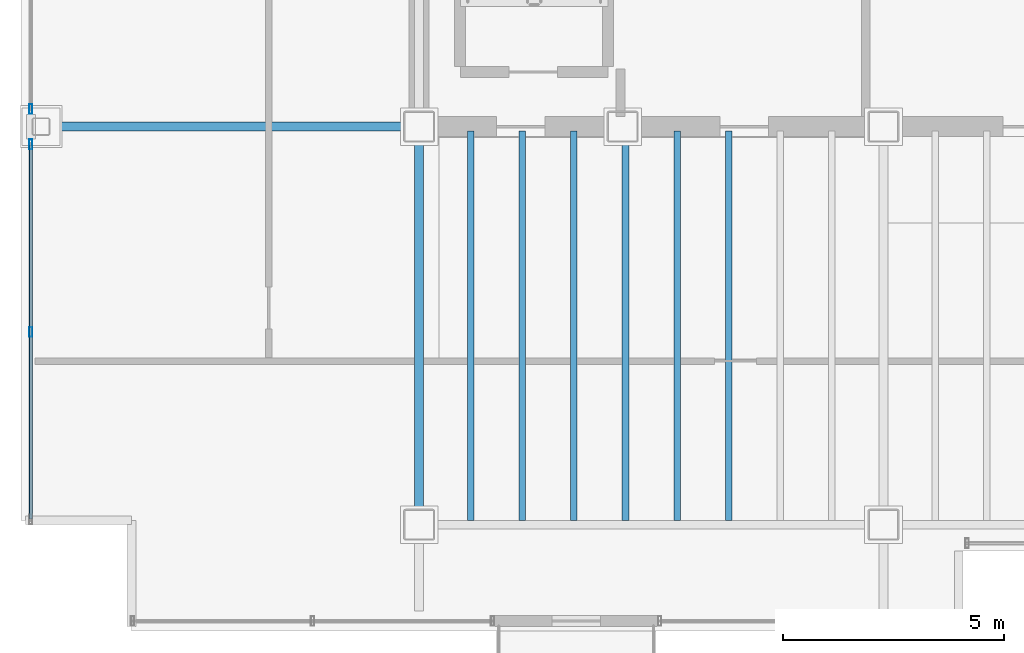
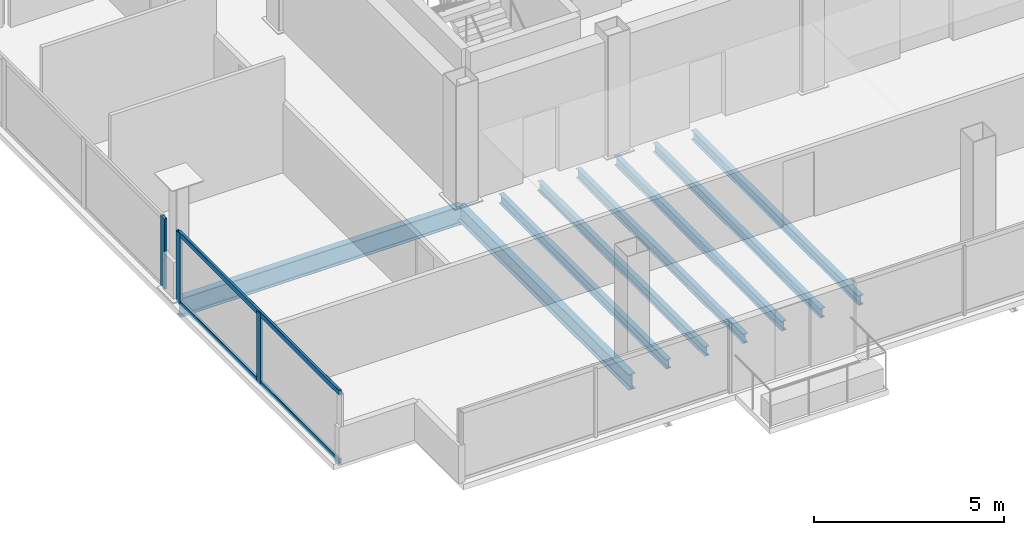
# One storey, part 3 of 16: 8 beams, 5 members, 2 elements without a shape of their own.
"""IFC4 building model written with IfcOpenShell, lengths in metres."""

from ifc_helpers import new_model, si_unit, direction, frame, origin, origin_2d, place, context, subcontext, project, spatial, hollow_rectangle, i_section, extrude, material, material_profile, profile_set, type_object, element, aggregate, save


model = new_model("IFC4")

# Units and contexts
model_context = context("Model", 3, precision=1e-05, world=origin(), true_north=direction((0.0, 1.0)))
body_context = subcontext(model_context, "Body", "Model", "MODEL_VIEW")
ifc_project = project(units=[si_unit("LENGTHUNIT", "METRE"), si_unit("AREAUNIT", "SQUARE_METRE"), si_unit("VOLUMEUNIT", "CUBIC_METRE"), si_unit("PLANEANGLEUNIT", "RADIAN"), si_unit("MASSUNIT", "GRAM", prefix="KILO")], contexts=[model_context])

# Site, building, storey
site_placement = place(None, origin())
site = spatial("IfcSite", under=ifc_project, at=site_placement, CompositionType="ELEMENT")
building_placement = place(site_placement, origin())
building = spatial("IfcBuilding", under=site, at=building_placement, Name="Noeulbin Bourse Tower", CompositionType="ELEMENT")
storey_placement = place(building_placement, frame((0.0, 0.0, 277.39990234375)))
storey = spatial("IfcBuildingStorey", under=building, at=storey_placement, Name="L69", CompositionType="ELEMENT", Elevation=277.39990234375)

# Beams
ifc_material_1 = material(Name="Steel S355", Category="steel")
ifc_material_profile_1 = material_profile(ifc_material_1, i_section(OverallWidth=0.199951171875, OverallDepth=0.5, WebThickness=0.010009765625, FlangeThickness=0.01611328125, FilletRadius=0.02001953125, at=origin_2d()), Name="H-500x200x10x16", Category="LoadBearing")
ifc_profile_set_1 = profile_set([ifc_material_profile_1], Name="Steel S355")
beam_type_1 = type_object("IfcBeamType", Name="BM-GRD-500", PredefinedType="USERDEFINED", material=ifc_profile_set_1)
beam_1_placement = place(storey_placement, frame((13.5, 20.0, -0.429931640625), z_axis=(0.0, 1.0, 0.0), x_axis=(-1.0, 0.0, 0.0)))
element("IfcBeam", 1, at=beam_1_placement, inside=storey, type_object=beam_type_1, Name="Tower Primary Girder NS L69-1.2", ObjectType="GIRDER", PredefinedType="USERDEFINED", context=body_context, shape_type="SweptSolid", body=[
    extrude(i_section(OverallWidth=0.199951171875, OverallDepth=0.5, WebThickness=0.010009765625, FlangeThickness=0.01611328125, FilletRadius=0.02001953125, at=origin_2d()), origin(), (0.0, 0.0, 1.0), 9.0),
])
ifc_material_profile_2 = material_profile(ifc_material_1, i_section(OverallWidth=0.199951171875, OverallDepth=0.60009765625, WebThickness=0.010986328125, FlangeThickness=0.01708984375, FilletRadius=0.02197265625, at=origin_2d()), Name="H-600x200x11x17", Category="LoadBearing")
ifc_profile_set_2 = profile_set([ifc_material_profile_2], Name="Steel S355")
beam_type_2 = type_object("IfcBeamType", Name="BM-GRD-600", PredefinedType="USERDEFINED", material=ifc_profile_set_2)
beam_2_placement = place(storey_placement, frame((4.949951171875, 29.0, -0.47998046875), z_axis=(1.0, 0.0, 0.0), x_axis=(0.0, 1.0, 0.0)))
element("IfcBeam", 2, at=beam_2_placement, inside=storey, type_object=beam_type_2, Name="Tower Primary Girder EW L69-2.1", ObjectType="GIRDER", PredefinedType="USERDEFINED", context=body_context, shape_type="SweptSolid", body=[
    extrude(i_section(OverallWidth=0.199951171875, OverallDepth=0.60009765625, WebThickness=0.010986328125, FlangeThickness=0.01708984375, FilletRadius=0.02197265625, at=origin_2d()), origin(), (0.0, 0.0, 1.0), 8.550048828125),
])
ifc_material_profile_3 = material_profile(ifc_material_1, i_section(OverallWidth=0.14990234375, OverallDepth=0.300048828125, WebThickness=0.006591796875, FlangeThickness=0.009033203125, FilletRadius=0.012939453125, at=origin_2d()), Name="H-300x150x6.5x9", Category="LoadBearing")
ifc_profile_set_3 = profile_set([ifc_material_profile_3], Name="Steel S355")
beam_type_3 = type_object("IfcBeamType", Name="BM-JST-300", PredefinedType="JOIST", material=ifc_profile_set_3)
for number, where, z_axis, x_axis, name in (
    (3, (14.666748046875, 20.10009765625, -0.329833984375), (0.0, 1.0, 0.0), (-1.0, 0.0, 0.0), "Tower Composite Joist L69-01"),
    (4, (15.833251953125, 20.10009765625, -0.329833984375), (0.0, 1.0, 0.0), (-1.0, 0.0, 0.0), "Tower Composite Joist L69-03"),
    (5, (17.0, 20.10009765625, -0.329833984375), (0.0, 1.0, 0.0), (-1.0, 0.0, 0.0), "Tower Composite Joist L69-05"),
    (6, (18.166748046875, 20.10009765625, -0.329833984375), (0.0, 1.0, 0.0), (-1.0, 0.0, 0.0), "Tower Composite Joist L69-07"),
    (7, (19.333251953125, 20.10009765625, -0.329833984375), (0.0, 1.0, 0.0), (-1.0, 0.0, 0.0), "Tower Composite Joist L69-09"),
    (8, (20.5, 20.10009765625, -0.329833984375), (0.0, 1.0, 0.0), (-1.0, 0.0, 0.0), "Tower Composite Joist L69-11"),
):
    element("IfcBeam", number, at=place(storey_placement, frame(where, z_axis=z_axis, x_axis=x_axis)), inside=storey, type_object=beam_type_3, Name=name, PredefinedType="JOIST", context=body_context, shape_type="SweptSolid", body=[
        extrude(i_section(OverallWidth=0.14990234375, OverallDepth=0.300048828125, WebThickness=0.006591796875, FlangeThickness=0.009033203125, FilletRadius=0.012939453125, at=origin_2d()), origin(), (0.0, 0.0, 1.0), 8.7998046875),
    ])

# Curtain wall, members
ifc_material_2 = material(Name="High-Selectivity Low-Iron Glazing", Category="glass")
curtain_wall_type = type_object("IfcCurtainWallType", Name="CW-SYS-4", PredefinedType="NOTDEFINED", material=ifc_material_2)
curtain_wall_1_placement = place(storey_placement, origin())
curtain_wall_1 = element("IfcCurtainWall", 9, at=curtain_wall_1_placement, inside=storey, type_object=curtain_wall_type, Name="Unitised Curtain Wall CW-L69-W-S1", PredefinedType="NOTDEFINED")
ifc_material_3 = material(Name="Anodised Aluminium 6063-T6", Category="aluminium")
ifc_material_profile_4 = material_profile(ifc_material_3, hollow_rectangle(XDim=0.074951171875, YDim=0.219970703125, WallThickness=0.0048828125, InnerFilletRadius=0.00244140625, OuterFilletRadius=0.0048828125, at=origin_2d()), Name="ALU-MULL-75x220x5", Category="LoadBearing")
ifc_profile_set_4 = profile_set([ifc_material_profile_4], Name="Anodised Aluminium 6063-T6")
member_type_1 = type_object("IfcMemberType", Name="CW-SYS-4-MUL", PredefinedType="MULLION", material=ifc_profile_set_4)
member_1_placement = place(storey_placement, frame((4.719970703125, 24.360107421875, -0.02001953125), z_axis=(0.0, 0.0, 1.0), x_axis=(1.0, 0.0, 0.0)))
member_1 = element("IfcMember", 10, at=member_1_placement, type_object=member_type_1, Name="Curtain Wall Mullion CW-L69-W-S1-M01", PredefinedType="MULLION", context=body_context, shape_type="SweptSolid", body=[
    extrude(hollow_rectangle(XDim=0.074951171875, YDim=0.219970703125, WallThickness=0.0048828125, InnerFilletRadius=0.00244140625, OuterFilletRadius=0.0048828125, at=origin_2d()), origin(), (0.0, 0.0, 1.0), 2.260009765625),
])
member_2_placement = place(storey_placement, frame((4.719970703125, 28.60009765625, -0.02001953125), z_axis=(0.0, 0.0, 1.0), x_axis=(1.0, 0.0, 0.0)))
member_2 = element("IfcMember", 11, at=member_2_placement, type_object=member_type_1, Name="Curtain Wall Mullion CW-L69-W-S1-M02", PredefinedType="MULLION", context=body_context, shape_type="SweptSolid", body=[
    extrude(hollow_rectangle(XDim=0.074951171875, YDim=0.219970703125, WallThickness=0.0048828125, InnerFilletRadius=0.00244140625, OuterFilletRadius=0.0048828125, at=origin_2d()), origin(), (0.0, 0.0, 1.0), 2.260009765625),
])

# Curtain wall, member
curtain_wall_2_placement = place(storey_placement, origin())
curtain_wall_2 = element("IfcCurtainWall", 12, at=curtain_wall_2_placement, inside=storey, type_object=curtain_wall_type, Name="Unitised Curtain Wall CW-L69-W-S2", PredefinedType="NOTDEFINED")
member_3_placement = place(storey_placement, frame((4.719970703125, 29.39990234375, -0.02001953125), z_axis=(0.0, 0.0, 1.0), x_axis=(1.0, 0.0, 0.0)))
member_3 = element("IfcMember", 13, at=member_3_placement, type_object=member_type_1, Name="Curtain Wall Mullion CW-L69-W-S2-M00", PredefinedType="MULLION", context=body_context, shape_type="SweptSolid", body=[
    extrude(hollow_rectangle(XDim=0.074951171875, YDim=0.219970703125, WallThickness=0.0048828125, InnerFilletRadius=0.00244140625, OuterFilletRadius=0.0048828125, at=origin_2d()), origin(), (0.0, 0.0, 1.0), 2.260009765625),
])
aggregate(curtain_wall_2, [member_3])

# Member
ifc_material_profile_5 = material_profile(ifc_material_3, hollow_rectangle(XDim=0.074951171875, YDim=0.159912109375, WallThickness=0.0048828125, InnerFilletRadius=0.00244140625, OuterFilletRadius=0.0048828125, at=origin_2d()), Name="ALU-TRAN-75x160x5", Category="LoadBearing")
ifc_profile_set_5 = profile_set([ifc_material_profile_5], Name="Anodised Aluminium 6063-T6")
member_type_2 = type_object("IfcMemberType", Name="CW-SYS-4-TRN", PredefinedType="USERDEFINED", material=ifc_profile_set_5)
member_4_placement = place(storey_placement, frame((4.719970703125, 20.1298828125, 0.010009765625), z_axis=(0.0, 1.0, 0.0), x_axis=(-1.0, 0.0, 0.0)))
member_4 = element("IfcMember", 14, at=member_4_placement, type_object=member_type_2, Name="Curtain Wall Transom CW-L69-W-S1-T00", ObjectType="TRANSOM", PredefinedType="USERDEFINED", context=body_context, shape_type="SweptSolid", body=[
    extrude(hollow_rectangle(XDim=0.074951171875, YDim=0.159912109375, WallThickness=0.0048828125, InnerFilletRadius=0.00244140625, OuterFilletRadius=0.0048828125, at=origin_2d()), origin(), (0.0, 0.0, 1.0), 8.460205078125),
])

member_5_placement = place(storey_placement, frame((4.719970703125, 20.1298828125, 2.210205078125), z_axis=(0.0, 1.0, 0.0), x_axis=(-1.0, 0.0, 0.0)))
member_5 = element("IfcMember", 15, at=member_5_placement, type_object=member_type_2, Name="Curtain Wall Transom CW-L69-W-S1-T01", ObjectType="TRANSOM", PredefinedType="USERDEFINED", context=body_context, shape_type="SweptSolid", body=[
    extrude(hollow_rectangle(XDim=0.074951171875, YDim=0.159912109375, WallThickness=0.0048828125, InnerFilletRadius=0.00244140625, OuterFilletRadius=0.0048828125, at=origin_2d()), origin(), (0.0, 0.0, 1.0), 8.460205078125),
])

aggregate(curtain_wall_1, [member_1, member_2, member_4, member_5])

save(model, "model.ifc")
